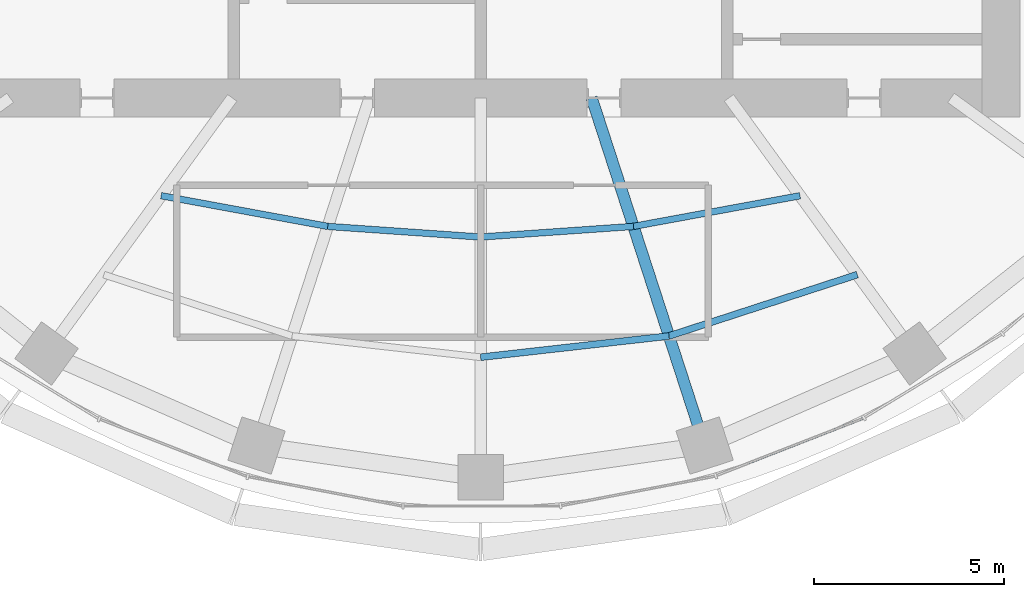
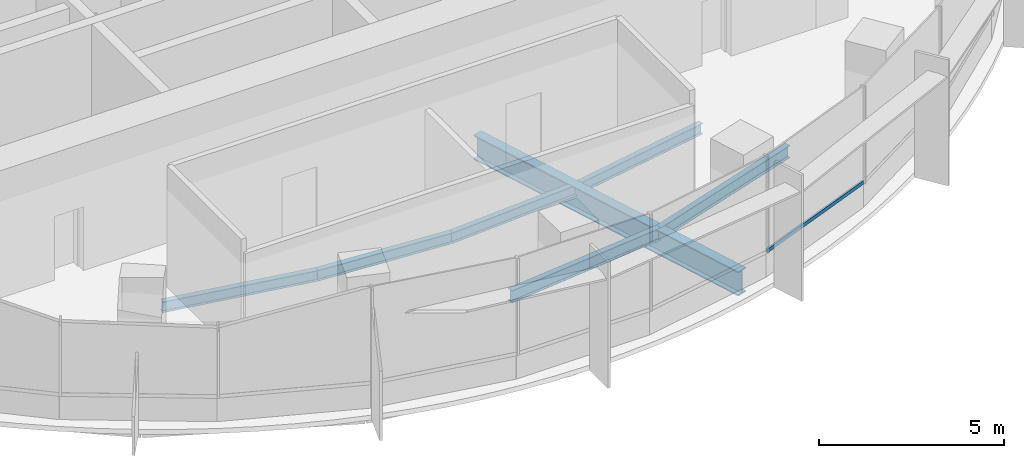
# One storey, part 3 of 13: 7 beams, 1 member, 1 element without a shape of its own.
"""IFC4 building model written with IfcOpenShell, lengths in metres."""

import ifcopenshell
import ifcopenshell.guid

model = None  # the IFC model being written
_history = None  # IfcOwnerHistory: only IFC2X3 demands one
_inside = {}  # id of a spatial element -> (the spatial element, [elements in it])
_under = {}  # id of a project, library or spatial element -> (it, [spatial elements below it])
_declared = {}  # id of a project -> (the project, [libraries it declares])
_typed = {}  # id of a type object -> (the type object, [elements of that type])
_made_of = {}  # id of a material, layer set ... -> (it, [elements and type objects made of it])


def new_model(schema):
    """Start an empty IFC model of exactly this schema.

    Asked for "IFC4X3", IfcOpenShell would pick the latest addendum, in which some entities
    have other attributes; the version numbers below select the first issue.
    IFC2X3 requires an IfcOwnerHistory on every rooted entity: one is made here for all.
    """
    global model, _history
    if schema == "IFC4X3":
        model = ifcopenshell.file(schema_version=(4, 3, 0, 0))
    else:
        model = ifcopenshell.file(schema=schema)
    _inside.clear()
    _under.clear()
    _declared.clear()
    _typed.clear()
    _made_of.clear()
    _history = None
    if model.schema == "IFC2X3":
        org = make("IfcOrganization", Name="unknown")
        user = make(
            "IfcPersonAndOrganization",
            ThePerson=make("IfcPerson", FamilyName="unknown"),
            TheOrganization=org,
        )
        app = make(
            "IfcApplication",
            ApplicationDeveloper=org,
            Version="unknown",
            ApplicationFullName="unknown",
            ApplicationIdentifier="unknown",
        )
        _history = make(
            "IfcOwnerHistory",
            OwningUser=user,
            OwningApplication=app,
            ChangeAction="ADDED",
            CreationDate=0,
        )
    return model


def make(cls, **values):
    """One entity of the class cls with the attributes given. An attribute that is None is left unset."""
    return model.create_entity(
        cls, **{name: value for name, value in values.items() if value is not None}
    )


def rooted(cls, **values):
    """An entity with a GlobalId (a new one), such as an element, a storey or a relation."""
    return make(cls, GlobalId=ifcopenshell.guid.new(), OwnerHistory=_history, **values)


def si_unit(unit_type, name, prefix=None):
    """IfcSIUnit, for example si_unit("LENGTHUNIT", "METRE", prefix="MILLI")."""
    return make("IfcSIUnit", UnitType=unit_type, Prefix=prefix, Name=name)


def assignment(units):
    """IfcUnitAssignment: the units of a project."""
    return None if units is None else make("IfcUnitAssignment", Units=units)


def point(xyz):
    """IfcCartesianPoint."""
    return None if xyz is None else make("IfcCartesianPoint", Coordinates=xyz)


def direction(xyz):
    """IfcDirection."""
    return None if xyz is None else make("IfcDirection", DirectionRatios=xyz)


def frame(location, z_axis=None, x_axis=None):
    """IfcAxis2Placement3D, a coordinate frame: its origin and axes. An axis left out is left unset."""
    return make(
        "IfcAxis2Placement3D",
        Location=point(location),
        Axis=direction(z_axis),
        RefDirection=direction(x_axis),
    )


def frame_2d(location, x_axis=None):
    """IfcAxis2Placement2D, a coordinate frame in the plane: its origin and x axis."""
    return make(
        "IfcAxis2Placement2D", Location=point(location), RefDirection=direction(x_axis)
    )


def origin():
    """The frame at (0, 0, 0) with its axes left unset."""
    return frame((0.0, 0.0, 0.0))


def origin_2d():
    """The frame at (0, 0) in the plane with its x axis left unset."""
    return frame_2d((0.0, 0.0))


def place(relative_to, where):
    """IfcLocalPlacement: puts the frame where relative to a parent placement (None: the world)."""
    return make(
        "IfcLocalPlacement", PlacementRelTo=relative_to, RelativePlacement=where
    )


def context(
    kind, dimensions, precision=None, world=None, true_north=None, identifier=None
):
    """IfcGeometricRepresentationContext, for example the 3D "Model" context."""
    return make(
        "IfcGeometricRepresentationContext",
        ContextIdentifier=identifier,
        ContextType=kind,
        CoordinateSpaceDimension=dimensions,
        Precision=precision,
        WorldCoordinateSystem=world,
        TrueNorth=true_north,
    )


def subcontext(parent, identifier, kind, view, scale=None):
    """IfcGeometricRepresentationSubContext, for example "Body" below "Model"."""
    return make(
        "IfcGeometricRepresentationSubContext",
        ContextIdentifier=identifier,
        ContextType=kind,
        ParentContext=parent,
        TargetScale=scale,
        TargetView=view,
    )


def project(units=None, contexts=None):
    """IfcProject with its units and contexts."""
    return rooted(
        "IfcProject",
        Name="project",
        RepresentationContexts=contexts,
        UnitsInContext=assignment(units),
    )


def spatial(cls, under=None, at=None, **own):
    """A site, building, storey or space (cls), placed at a placement, below another one or the project."""
    s = rooted(cls, ObjectPlacement=at, **own)
    if under is not None:
        _under.setdefault(under.id(), (under, []))[1].append(s)
    return s


def profile(cls, at=None, kind="AREA", **sizes):
    """A parametric profile (cls). Its sizes go by their IFC names, for example OverallWidth=200.0."""
    return make(cls, ProfileType=kind, Position=at, **sizes)


def rectangle(**sizes):
    """IfcRectangleProfileDef."""
    return profile("IfcRectangleProfileDef", **sizes)


def i_section(**sizes):
    """IfcIShapeProfileDef."""
    return profile("IfcIShapeProfileDef", **sizes)


def extrude(swept, where, along, depth):
    """IfcExtrudedAreaSolid: the profile swept, set in the frame where, extruded along a direction by depth."""
    return make(
        "IfcExtrudedAreaSolid",
        SweptArea=swept,
        Position=where,
        ExtrudedDirection=direction(along),
        Depth=depth,
    )


def shape(context_of_items, identifier, shape_type, items):
    """IfcShapeRepresentation: the items that make up one representation, for example the "Body"."""
    return make(
        "IfcShapeRepresentation",
        ContextOfItems=context_of_items,
        RepresentationIdentifier=identifier,
        RepresentationType=shape_type,
        Items=items,
    )


def material(Name=None, Category=None):
    """IfcMaterial."""
    return make("IfcMaterial", Name=Name, Category=Category)


def material_profile(
    of_material, cross_section, Name=None, Category=None, Priority=None
):
    """IfcMaterialProfile: a cross section and its material."""
    return make(
        "IfcMaterialProfile",
        Name=Name,
        Material=of_material,
        Profile=cross_section,
        Priority=Priority,
        Category=Category,
    )


def profile_set(profiles, Name=None, composite=None):
    """IfcMaterialProfileSet."""
    return make(
        "IfcMaterialProfileSet",
        Name=Name,
        MaterialProfiles=profiles,
        CompositeProfile=composite,
    )


def made_of(thing, what):
    """Note that an element or type object is made of a material, layer set ...; save() writes the relation."""
    if what is not None:
        _made_of.setdefault(what.id(), (what, []))[1].append(thing)
    return thing


def type_object(cls, material=None, **own):
    """A type object (cls), such as IfcWallType, which elements share."""
    return made_of(rooted(cls, **own), material)


def element(
    cls,
    number,
    at=None,
    inside=None,
    cuts=None,
    type_object=None,
    material=None,
    context=None,
    identifier="Body",
    shape_type=None,
    held_by="IfcProductDefinitionShape",
    body=None,
    shapes=None,
    **own,
):
    """One element of the class cls, such as IfcWall. Its Tag is "e" and its number.

    at: its placement. inside: the storey or other place that contains it. cuts: it is an
    opening in that element (IfcRelVoidsElement). A single representation is given by context,
    identifier, shape_type and body (its items); several are given by shapes. held_by: the class
    of the entity that holds the representations. save() writes the other relations.
    """
    e = rooted(cls, Tag="e%d" % number, ObjectPlacement=at, **own)
    if body is not None:
        shapes = [shape(context, identifier, shape_type, body)]
    if shapes is not None:
        e.Representation = make(held_by, Representations=shapes)
    if inside is not None:
        _inside.setdefault(inside.id(), (inside, []))[1].append(e)
    if cuts is not None:
        rooted(
            "IfcRelVoidsElement", RelatingBuildingElement=cuts, RelatedOpeningElement=e
        )
    if type_object is not None:
        _typed.setdefault(type_object.id(), (type_object, []))[1].append(e)
    return made_of(e, material)


def aggregate(whole, parts):
    """IfcRelAggregates: a whole, such as a stair, and the parts it consists of."""
    return rooted("IfcRelAggregates", RelatingObject=whole, RelatedObjects=parts)


def save(model, path):
    """Write the relations noted so far, then the file.

    IfcRelAggregates (storeys below a building ...), IfcRelContainedInSpatialStructure (elements
    in a storey), IfcRelDefinesByType, IfcRelAssociatesMaterial and IfcRelDeclares: one each for
    every whole, place, type object, material and project.
    """
    for whole, parts in _under.values():
        aggregate(whole, parts)
    for where, things in _inside.values():
        rooted(
            "IfcRelContainedInSpatialStructure",
            RelatedElements=things,
            RelatingStructure=where,
        )
    for kind, things in _typed.values():
        rooted("IfcRelDefinesByType", RelatedObjects=things, RelatingType=kind)
    for what, things in _made_of.values():
        rooted("IfcRelAssociatesMaterial", RelatedObjects=things, RelatingMaterial=what)
    for by, libraries in _declared.values():
        rooted("IfcRelDeclares", RelatingContext=by, RelatedDefinitions=libraries)
    model.write(path)


model = new_model("IFC4")

# Units and contexts
model_context = context("Model", 3, precision=1e-05, world=origin(), true_north=direction((0.0, 1.0)))
body_context = subcontext(model_context, "Body", "Model", "MODEL_VIEW")
ifc_project = project(units=[si_unit("LENGTHUNIT", "METRE"), si_unit("AREAUNIT", "SQUARE_METRE"), si_unit("VOLUMEUNIT", "CUBIC_METRE"), si_unit("PLANEANGLEUNIT", "RADIAN"), si_unit("MASSUNIT", "GRAM", prefix="KILO")], contexts=[model_context])

# Site, building, storey
site_placement = place(None, origin())
site = spatial("IfcSite", under=ifc_project, at=site_placement, CompositionType="ELEMENT")
building_placement = place(site_placement, origin())
building = spatial("IfcBuilding", under=site, at=building_placement, Name="Marramba Exchange Tower", CompositionType="ELEMENT")
storey_placement = place(building_placement, frame((0.0, 0.0, 272.800048828125)))
storey = spatial("IfcBuildingStorey", under=building, at=storey_placement, Name="L66", CompositionType="ELEMENT", Elevation=272.800048828125)

# Curtain wall, member
ifc_material_1 = material(Name="Aluminium framing, bronze anodised", Category="aluminium")
curtain_wall_type = type_object("IfcCurtainWallType", Name="Executive floor ribbon curtain wall", PredefinedType="USERDEFINED", material=ifc_material_1)
curtain_wall_placement = place(storey_placement, origin())
curtain_wall = element("IfcCurtainWall", 1, at=curtain_wall_placement, inside=storey, type_object=curtain_wall_type, Name="Curtain wall CW5 L66 F21-F25", ObjectType="RIBBON CURTAIN WALL", PredefinedType="USERDEFINED")
ifc_material_2 = material(Name="Aluminium transom, bronze anodised", Category="aluminium")
ifc_material_profile_1 = material_profile(ifc_material_2, rectangle(XDim=0.06005859375, YDim=0.1201171875, at=origin_2d()), Name="CW5 transom 60x120")
ifc_profile_set_1 = profile_set([ifc_material_profile_1], Name="Aluminium transom, bronze anodised")
member_type = type_object("IfcMemberType", Name="Executive floor ribbon curtain wall transom", PredefinedType="USERDEFINED", material=ifc_profile_set_1)
member_placement = place(storey_placement, frame((6.21826171875, -18.943603515625, 0.829833984375), z_axis=(0.931790621773, 0.362996194438, 0.0), x_axis=(-0.362996194438, 0.931790621773, 0.0)))
member = element("IfcMember", 2, at=member_placement, type_object=member_type, Name="CW5 sill transom", ObjectType="TRANSOM", PredefinedType="USERDEFINED", context=body_context, shape_type="SweptSolid", body=[
    extrude(rectangle(XDim=0.06005859375, YDim=0.1201171875, at=origin_2d()), origin(), (0.0, 0.0, 1.0), 4.13427734375),
])
aggregate(curtain_wall, [member])

# Beams
ifc_material_3 = material(Name="Steel AS/NZS 3679.1 grade 300", Category="steel")
ifc_material_profile_2 = material_profile(ifc_material_3, i_section(OverallWidth=0.1708984375, OverallDepth=0.35595703125, WebThickness=0.00732421875, FlangeThickness=0.011474609375, FilletRadius=0.011474609375, at=origin_2d()), Name="360UB50.7")
ifc_profile_set_2 = profile_set([ifc_material_profile_2], Name="Steel AS/NZS 3679.1 grade 300")
beam_type_1 = type_object("IfcBeamType", Name="Floor joist 360UB50.7", PredefinedType="JOIST", material=ifc_profile_set_2)
beam_1_placement = place(storey_placement, frame((-8.41162109375, -11.57763671875, -0.338134765625), z_axis=(0.983455754421, -0.181148500119, 0.0), x_axis=(0.181148500119, 0.983455754421, 0.0)))
element("IfcBeam", 3, at=beam_1_placement, inside=storey, type_object=beam_type_1, Name="Joist L66 bay 14 row 1", PredefinedType="JOIST", context=body_context, shape_type="SweptSolid", body=[
    extrude(i_section(OverallWidth=0.1708984375, OverallDepth=0.35595703125, WebThickness=0.00732421875, FlangeThickness=0.011474609375, FilletRadius=0.011474609375, at=origin_2d()), origin(), (0.0, 0.0, 1.0), 4.4609375),
])
for number, where, z_axis, x_axis, name in (
    (4, (-4.0244140625, -12.3857421875, -0.338134765625), (0.99759625901, -0.069294328838, 0.0), (0.069294328838, 0.99759625901, 0.0), "Joist L66 bay 15 row 1"),
    (5, (0.0, -12.665283203125, -0.338134765625), (0.99759625901, 0.069294328838, 0.0), (-0.069294328838, 0.99759625901, 0.0), "Joist L66 bay 16 row 1"),
):
    element("IfcBeam", number, at=place(storey_placement, frame(where, z_axis=z_axis, x_axis=x_axis)), inside=storey, type_object=beam_type_1, Name=name, PredefinedType="JOIST", context=body_context, shape_type="SweptSolid", body=[
        extrude(i_section(OverallWidth=0.1708984375, OverallDepth=0.35595703125, WebThickness=0.00732421875, FlangeThickness=0.011474609375, FilletRadius=0.011474609375, at=origin_2d()), origin(), (0.0, 0.0, 1.0), 4.0341796875),
    ])
beam_2_placement = place(storey_placement, frame((4.0244140625, -12.3857421875, -0.338134765625), z_axis=(0.983455754421, 0.181148500119, 0.0), x_axis=(-0.181148500119, 0.983455754421, 0.0)))
element("IfcBeam", 6, at=beam_2_placement, inside=storey, type_object=beam_type_1, Name="Joist L66 bay 17 row 1", PredefinedType="JOIST", context=body_context, shape_type="SweptSolid", body=[
    extrude(i_section(OverallWidth=0.1708984375, OverallDepth=0.35595703125, WebThickness=0.00732421875, FlangeThickness=0.011474609375, FilletRadius=0.011474609375, at=origin_2d()), origin(), (0.0, 0.0, 1.0), 4.4609375),
])
ifc_material_profile_3 = material_profile(ifc_material_3, i_section(OverallWidth=0.177978515625, OverallDepth=0.403076171875, WebThickness=0.007568359375, FlangeThickness=0.010986328125, FilletRadius=0.011474609375, at=origin_2d()), Name="410UB53.7")
ifc_profile_set_3 = profile_set([ifc_material_profile_3], Name="Steel AS/NZS 3679.1 grade 300")
beam_type_2 = type_object("IfcBeamType", Name="Floor joist 410UB53.7", PredefinedType="JOIST", material=ifc_profile_set_3)
beam_3_placement = place(storey_placement, frame((0.0, -15.83056640625, -0.361572265625), z_axis=(0.993712018573, 0.111966174106, 0.0), x_axis=(-0.111966174106, 0.993712018573, 0.0)))
element("IfcBeam", 7, at=beam_3_placement, inside=storey, type_object=beam_type_2, Name="Joist L66 bay 16 row 2", PredefinedType="JOIST", context=body_context, shape_type="SweptSolid", body=[
    extrude(i_section(OverallWidth=0.177978515625, OverallDepth=0.403076171875, WebThickness=0.007568359375, FlangeThickness=0.010986328125, FilletRadius=0.011474609375, at=origin_2d()), origin(), (0.0, 0.0, 1.0), 4.993408203125),
])
beam_4_placement = place(storey_placement, frame((4.9619140625, -15.271484375, -0.361572265625), z_axis=(0.950764024931, 0.309915744834, 0.0), x_axis=(-0.309915744834, 0.950764024931, 0.0)))
element("IfcBeam", 8, at=beam_4_placement, inside=storey, type_object=beam_type_2, Name="Joist L66 bay 17 row 2", PredefinedType="JOIST", context=body_context, shape_type="SweptSolid", body=[
    extrude(i_section(OverallWidth=0.177978515625, OverallDepth=0.403076171875, WebThickness=0.007568359375, FlangeThickness=0.010986328125, FilletRadius=0.011474609375, at=origin_2d()), origin(), (0.0, 0.0, 1.0), 5.2158203125),
])
ifc_material_4 = material(Name="Steel AS/NZS 3679.2 grade 300", Category="steel")
ifc_material_profile_4 = material_profile(ifc_material_4, i_section(OverallWidth=0.300048828125, OverallDepth=0.800048828125, WebThickness=0.013916015625, FlangeThickness=0.031982421875, at=origin_2d()), Name="800WB192")
ifc_profile_set_4 = profile_set([ifc_material_profile_4], Name="Steel AS/NZS 3679.2 grade 300")
beam_type_3 = type_object("IfcBeamType", Name="Radial girder 800WB192", PredefinedType="BEAM", material=ifc_profile_set_4)
beam_5_placement = place(storey_placement, frame((2.92431640625, -9.0, -0.56005859375), z_axis=(0.309022428985, -0.951054750466, 0.0), x_axis=(0.951054750466, 0.309022428985, 0.0)))
element("IfcBeam", 9, at=beam_5_placement, inside=storey, type_object=beam_type_3, Name="Radial girder L66 TC17", PredefinedType="BEAM", context=body_context, shape_type="SweptSolid", body=[
    extrude(i_section(OverallWidth=0.300048828125, OverallDepth=0.800048828125, WebThickness=0.013916015625, FlangeThickness=0.031982421875, at=origin_2d()), origin(), (0.0, 0.0, 1.0), 9.628173828125),
])

save(model, "model.ifc")
